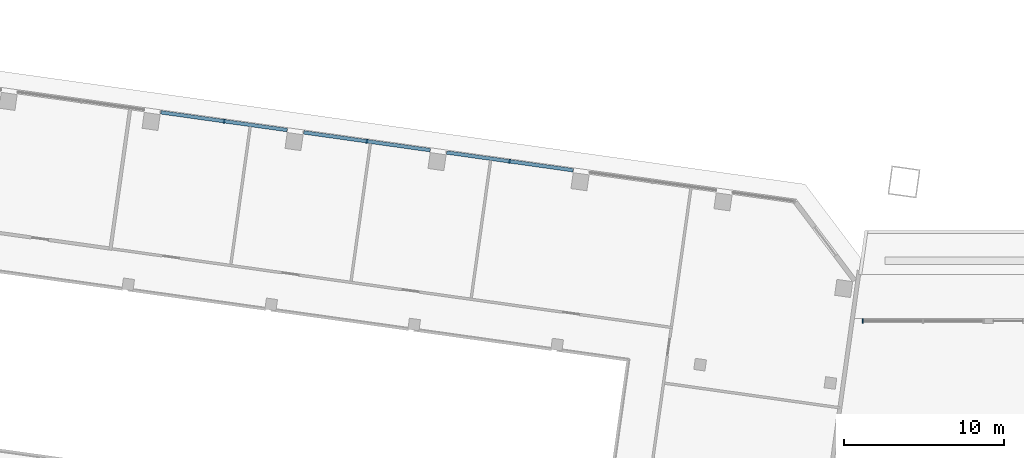
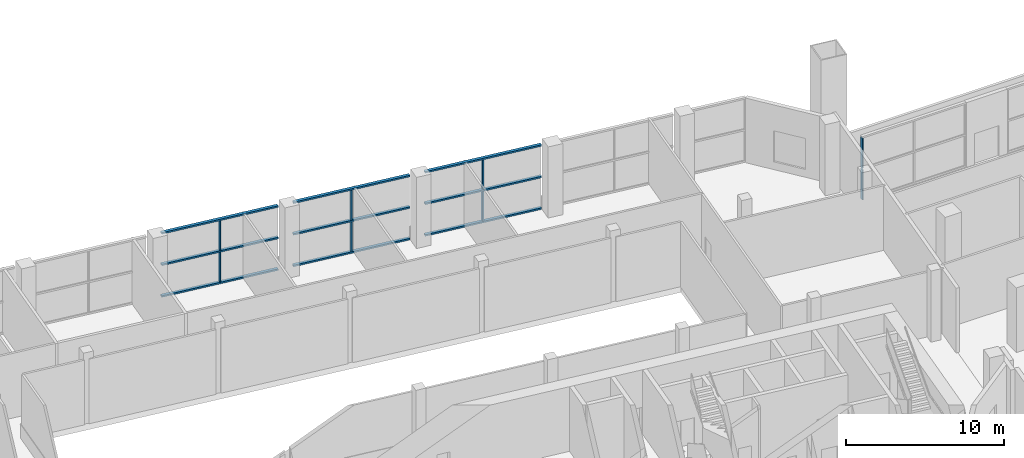
# One storey, part 3 of 23: 17 members, 2 elements without a shape of their own.
"""IFC4 building model written with IfcOpenShell, lengths in metres."""

from ifc_helpers import new_model, si_unit, direction, frame, origin, origin_2d, place, context, subcontext, project, spatial, rectangle, extrude, material, material_profile, profile_set, type_object, element, aggregate, save


model = new_model("IFC4")

# Units and contexts
model_context = context("Model", 3, precision=1e-05, world=origin(), true_north=direction((0.0, 1.0)))
body_context = subcontext(model_context, "Body", "Model", "MODEL_VIEW")
ifc_project = project(units=[si_unit("LENGTHUNIT", "METRE"), si_unit("AREAUNIT", "SQUARE_METRE"), si_unit("VOLUMEUNIT", "CUBIC_METRE"), si_unit("PLANEANGLEUNIT", "RADIAN"), si_unit("MASSUNIT", "GRAM", prefix="KILO")], contexts=[model_context])

# Site, building, storey
site_placement = place(None, origin())
site = spatial("IfcSite", under=ifc_project, at=site_placement, CompositionType="ELEMENT")
building_placement = place(site_placement, origin())
building = spatial("IfcBuilding", under=site, at=building_placement, Name="Mirante Cascada Hotel Towers", CompositionType="ELEMENT")
storey_placement = place(building_placement, frame((0.0, 0.0, 29.0)))
storey = spatial("IfcBuildingStorey", under=building, at=storey_placement, Name="L04", CompositionType="ELEMENT", Elevation=29.0)

# Curtain wall, members
ifc_material_1 = material(Name="Aluminium mullion and transom frame with clear laminated glass", Category="aluminium")
curtain_wall_type = type_object("IfcCurtainWallType", Name="Podium curtain wall ECW3", PredefinedType="NOTDEFINED", material=ifc_material_1)
curtain_wall_1_placement = place(storey_placement, origin())
curtain_wall_1 = element("IfcCurtainWall", 1, at=curtain_wall_1_placement, inside=storey, type_object=curtain_wall_type, Name="Front podium glazing T1 L04", PredefinedType="NOTDEFINED")
ifc_material_2 = material(Name="Anodised aluminium extrusion", Category="aluminium")
ifc_material_profile_1 = material_profile(ifc_material_2, rectangle(XDim=0.26, YDim=0.08, at=origin_2d()), Name="ECW3 MULLION 80x260")
ifc_profile_set_1 = profile_set([ifc_material_profile_1], Name="Anodised aluminium extrusion")
member_type_1 = type_object("IfcMemberType", Name="ECW3 mullion 80x260", PredefinedType="MULLION", material=ifc_profile_set_1)
member_1_placement = place(storey_placement, frame((-67.4737, 22.3018, 0.12), z_axis=(0.0, 0.0, 1.0), x_axis=(0.1391731, 0.9902681, 0.0)))
member_1 = element("IfcMember", 2, at=member_1_placement, type_object=member_type_1, Name="ECW3 mullion 7", PredefinedType="MULLION", context=body_context, shape_type="SweptSolid", body=[
    extrude(rectangle(XDim=0.26, YDim=0.08, at=origin_2d()), origin(), (0.0, 0.0, 1.0), 2.32),
])
member_2_placement = place(storey_placement, frame((-67.4737, 22.3018, 2.56), z_axis=(0.0, 0.0, 1.0), x_axis=(0.1391731, 0.9902681, 0.0)))
member_2 = element("IfcMember", 3, at=member_2_placement, type_object=member_type_1, Name="ECW3 mullion 7", PredefinedType="MULLION", context=body_context, shape_type="SweptSolid", body=[
    extrude(rectangle(XDim=0.26, YDim=0.08, at=origin_2d()), origin(), (0.0, 0.0, 1.0), 2.32),
])
member_3_placement = place(storey_placement, frame((-58.5788, 21.0517, 0.12), z_axis=(0.0, 0.0, 1.0), x_axis=(0.1391731, 0.9902681, 0.0)))
member_3 = element("IfcMember", 4, at=member_3_placement, type_object=member_type_1, Name="ECW3 mullion 9", PredefinedType="MULLION", context=body_context, shape_type="SweptSolid", body=[
    extrude(rectangle(XDim=0.26, YDim=0.08, at=origin_2d()), origin(), (0.0, 0.0, 1.0), 2.32),
])
member_4_placement = place(storey_placement, frame((-58.5788, 21.0517, 2.56), z_axis=(0.0, 0.0, 1.0), x_axis=(0.1391731, 0.9902681, 0.0)))
member_4 = element("IfcMember", 5, at=member_4_placement, type_object=member_type_1, Name="ECW3 mullion 9", PredefinedType="MULLION", context=body_context, shape_type="SweptSolid", body=[
    extrude(rectangle(XDim=0.26, YDim=0.08, at=origin_2d()), origin(), (0.0, 0.0, 1.0), 2.32),
])
member_5_placement = place(storey_placement, frame((-49.684, 19.8017, 0.12), z_axis=(0.0, 0.0, 1.0), x_axis=(0.1391731, 0.9902681, 0.0)))
member_5 = element("IfcMember", 6, at=member_5_placement, type_object=member_type_1, Name="ECW3 mullion 11", PredefinedType="MULLION", context=body_context, shape_type="SweptSolid", body=[
    extrude(rectangle(XDim=0.26, YDim=0.08, at=origin_2d()), origin(), (0.0, 0.0, 1.0), 2.32),
])
member_6_placement = place(storey_placement, frame((-49.684, 19.8017, 2.56), z_axis=(0.0, 0.0, 1.0), x_axis=(0.1391731, 0.9902681, 0.0)))
member_6 = element("IfcMember", 7, at=member_6_placement, type_object=member_type_1, Name="ECW3 mullion 11", PredefinedType="MULLION", context=body_context, shape_type="SweptSolid", body=[
    extrude(rectangle(XDim=0.26, YDim=0.08, at=origin_2d()), origin(), (0.0, 0.0, 1.0), 2.32),
])

curtain_wall_2_placement = place(storey_placement, origin())
curtain_wall_2 = element("IfcCurtainWall", 8, at=curtain_wall_2_placement, inside=storey, type_object=curtain_wall_type, Name="Podium curtain wall L04 run 3.5", PredefinedType="NOTDEFINED")
member_7_placement = place(storey_placement, frame((-27.6676, 9.85, 0.12), z_axis=(0.0, 0.0, 1.0), x_axis=(0.0, -1.0, 0.0)))
member_7 = element("IfcMember", 9, at=member_7_placement, type_object=member_type_1, Name="ECW3 mullion 3", PredefinedType="MULLION", context=body_context, shape_type="SweptSolid", body=[
    extrude(rectangle(XDim=0.26, YDim=0.08, at=origin_2d()), origin(), (0.0, 0.0, 1.0), 2.32),
])
member_8_placement = place(storey_placement, frame((-27.6676, 9.85, 2.56), z_axis=(0.0, 0.0, 1.0), x_axis=(0.0, -1.0, 0.0)))
member_8 = element("IfcMember", 10, at=member_8_placement, type_object=member_type_1, Name="ECW3 mullion 3", PredefinedType="MULLION", context=body_context, shape_type="SweptSolid", body=[
    extrude(rectangle(XDim=0.26, YDim=0.08, at=origin_2d()), origin(), (0.0, 0.0, 1.0), 2.32),
])
aggregate(curtain_wall_2, [member_7, member_8])

# Member
ifc_material_3 = material(Name="Anodised aluminium extrusion", Category="aluminium")
ifc_material_profile_2 = material_profile(ifc_material_3, rectangle(XDim=0.22, YDim=0.12, at=origin_2d()), Name="ECW3 TRANSOM 120x220")
ifc_profile_set_2 = profile_set([ifc_material_profile_2], Name="Anodised aluminium extrusion")
member_type_2 = type_object("IfcMemberType", Name="ECW3 transom 120x220", PredefinedType="USERDEFINED", material=ifc_profile_set_2)
member_9_placement = place(storey_placement, frame((-71.4237, 22.857, 0.06), z_axis=(0.9902683, -0.1391715, 0.0), x_axis=(0.1391715, 0.9902683, 0.0)))
member_9 = element("IfcMember", 11, at=member_9_placement, type_object=member_type_2, Name="ECW3 sill transom", ObjectType="TRANSOM", PredefinedType="USERDEFINED", context=body_context, shape_type="SweptSolid", body=[
    extrude(rectangle(XDim=0.22, YDim=0.12, at=origin_2d()), origin(), (0.0, 0.0, 1.0), 7.96),
])

member_10_placement = place(storey_placement, frame((-62.5113, 21.6044, 0.06), z_axis=(0.9902683, -0.1391715, 0.0), x_axis=(0.1391715, 0.9902683, 0.0)))
member_10 = element("IfcMember", 12, at=member_10_placement, type_object=member_type_2, Name="ECW3 sill transom", ObjectType="TRANSOM", PredefinedType="USERDEFINED", context=body_context, shape_type="SweptSolid", body=[
    extrude(rectangle(XDim=0.22, YDim=0.12, at=origin_2d()), origin(), (0.0, 0.0, 1.0), 7.96),
])

member_11_placement = place(storey_placement, frame((-53.5989, 20.3519, 0.06), z_axis=(0.9902666, -0.1391838, 0.0), x_axis=(0.1391838, 0.9902666, 0.0)))
member_11 = element("IfcMember", 13, at=member_11_placement, type_object=member_type_2, Name="ECW3 sill transom", ObjectType="TRANSOM", PredefinedType="USERDEFINED", context=body_context, shape_type="SweptSolid", body=[
    extrude(rectangle(XDim=0.22, YDim=0.12, at=origin_2d()), origin(), (0.0, 0.0, 1.0), 7.96),
])

member_12_placement = place(storey_placement, frame((-71.4237, 22.857, 2.5), z_axis=(0.9902683, -0.1391715, 0.0), x_axis=(0.1391715, 0.9902683, 0.0)))
member_12 = element("IfcMember", 14, at=member_12_placement, type_object=member_type_2, Name="ECW3 intermediate transom", ObjectType="TRANSOM", PredefinedType="USERDEFINED", context=body_context, shape_type="SweptSolid", body=[
    extrude(rectangle(XDim=0.22, YDim=0.12, at=origin_2d()), origin(), (0.0, 0.0, 1.0), 7.96),
])

member_13_placement = place(storey_placement, frame((-62.5113, 21.6044, 2.5), z_axis=(0.9902683, -0.1391715, 0.0), x_axis=(0.1391715, 0.9902683, 0.0)))
member_13 = element("IfcMember", 15, at=member_13_placement, type_object=member_type_2, Name="ECW3 intermediate transom", ObjectType="TRANSOM", PredefinedType="USERDEFINED", context=body_context, shape_type="SweptSolid", body=[
    extrude(rectangle(XDim=0.22, YDim=0.12, at=origin_2d()), origin(), (0.0, 0.0, 1.0), 7.96),
])

member_14_placement = place(storey_placement, frame((-53.5989, 20.3519, 2.5), z_axis=(0.9902666, -0.1391838, 0.0), x_axis=(0.1391838, 0.9902666, 0.0)))
member_14 = element("IfcMember", 16, at=member_14_placement, type_object=member_type_2, Name="ECW3 intermediate transom", ObjectType="TRANSOM", PredefinedType="USERDEFINED", context=body_context, shape_type="SweptSolid", body=[
    extrude(rectangle(XDim=0.22, YDim=0.12, at=origin_2d()), origin(), (0.0, 0.0, 1.0), 7.96),
])

member_15_placement = place(storey_placement, frame((-71.4237, 22.857, 4.94), z_axis=(0.9902683, -0.1391715, 0.0), x_axis=(0.1391715, 0.9902683, 0.0)))
member_15 = element("IfcMember", 17, at=member_15_placement, type_object=member_type_2, Name="ECW3 head transom", ObjectType="TRANSOM", PredefinedType="USERDEFINED", context=body_context, shape_type="SweptSolid", body=[
    extrude(rectangle(XDim=0.22, YDim=0.12, at=origin_2d()), origin(), (0.0, 0.0, 1.0), 7.96),
])

member_16_placement = place(storey_placement, frame((-62.5113, 21.6044, 4.94), z_axis=(0.9902683, -0.1391715, 0.0), x_axis=(0.1391715, 0.9902683, 0.0)))
member_16 = element("IfcMember", 18, at=member_16_placement, type_object=member_type_2, Name="ECW3 head transom", ObjectType="TRANSOM", PredefinedType="USERDEFINED", context=body_context, shape_type="SweptSolid", body=[
    extrude(rectangle(XDim=0.22, YDim=0.12, at=origin_2d()), origin(), (0.0, 0.0, 1.0), 7.96),
])

member_17_placement = place(storey_placement, frame((-53.5989, 20.3519, 4.94), z_axis=(0.9902666, -0.1391838, 0.0), x_axis=(0.1391838, 0.9902666, 0.0)))
member_17 = element("IfcMember", 19, at=member_17_placement, type_object=member_type_2, Name="ECW3 head transom", ObjectType="TRANSOM", PredefinedType="USERDEFINED", context=body_context, shape_type="SweptSolid", body=[
    extrude(rectangle(XDim=0.22, YDim=0.12, at=origin_2d()), origin(), (0.0, 0.0, 1.0), 7.96),
])

aggregate(curtain_wall_1, [member_9, member_10, member_11, member_12, member_13, member_14, member_15, member_16, member_17, member_1, member_2, member_3, member_4, member_5, member_6])

save(model, "model.ifc")
